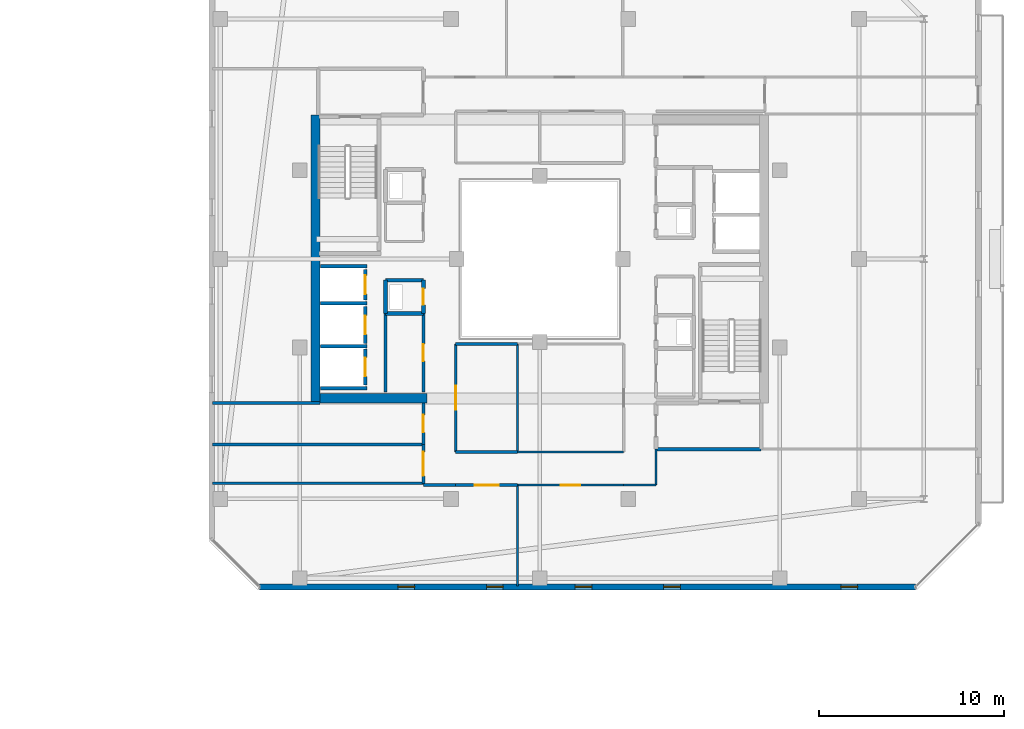
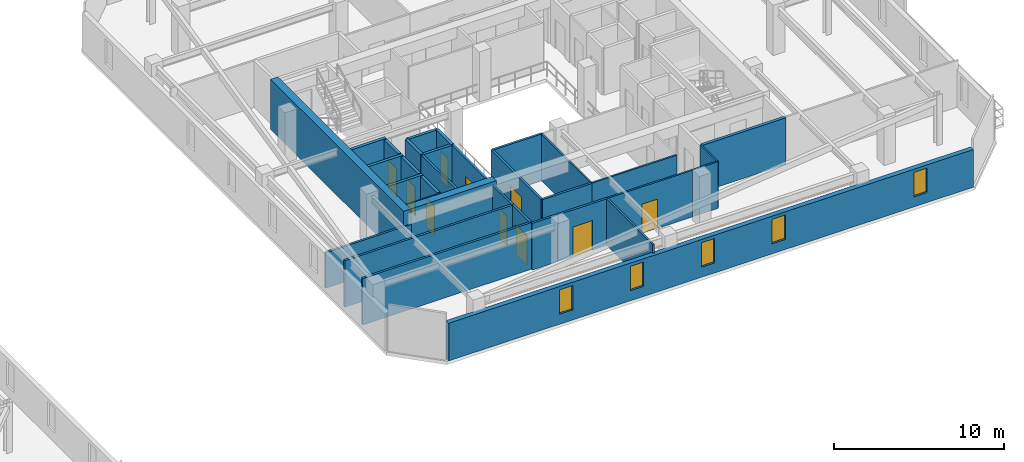
# One storey, part 25 of 35: 33 walls, 10 doors, 5 windows, 15 openings.
"""IFC4 building model written with IfcOpenShell, lengths in metres."""

from ifc_helpers import new_model, si_unit, direction, frame, frame_2d, origin, place, context, subcontext, project, spatial, rectangle, extrude, material, layer, layer_set, type_object, element, fill, save


model = new_model("IFC4")

# Units and contexts
model_context = context("Model", 3, precision=1e-05, world=origin(), true_north=direction((0.0, 1.0)))
body_context = subcontext(model_context, "Body", "Model", "MODEL_VIEW")
ifc_project = project(units=[si_unit("LENGTHUNIT", "METRE"), si_unit("AREAUNIT", "SQUARE_METRE"), si_unit("VOLUMEUNIT", "CUBIC_METRE"), si_unit("PLANEANGLEUNIT", "RADIAN"), si_unit("MASSUNIT", "GRAM", prefix="KILO")], contexts=[model_context])

# Site, building, storey
site_placement = place(None, origin())
site = spatial("IfcSite", under=ifc_project, at=site_placement, CompositionType="ELEMENT")
building_placement = place(site_placement, origin())
building = spatial("IfcBuilding", under=site, at=building_placement, Name="Thornwick Lancets Civic Towers", CompositionType="ELEMENT")
storey_placement = place(building_placement, frame((0.0, 0.0, 265.5)))
storey = spatial("IfcBuildingStorey", under=building, at=storey_placement, Name="L71", CompositionType="ELEMENT", Elevation=265.5)

# Wall, opening, door
ifc_material_1 = material(Name="Concrete blockwork C40/50", Category="masonry")
ifc_layer_1 = layer(ifc_material_1, 0.199951171875, Name="Concrete blockwork C40/50")
ifc_layer_set_1 = layer_set([ifc_layer_1], Name="Concrete blockwork C40/50")
wall_type_1 = type_object("IfcWallType", Name="WALL_COMP_200", PredefinedType="STANDARD", material=ifc_layer_set_1)
wall_1_placement = place(storey_placement, frame((79.050048828125, 24.780029296875, 0.0), z_axis=(0.0, 0.0, 1.0), x_axis=(0.0, 1.0, 0.0)))
wall_1 = element("IfcWall", 1, at=wall_1_placement, inside=storey, type_object=wall_type_1, Name="L71 Hoistway Front Wall FL-B2", PredefinedType="STANDARD", context=body_context, shape_type="SweptSolid", body=[
    extrude(rectangle(XDim=1.639892578125, YDim=0.199951171875, at=frame_2d((0.81982421875, 0.0))), origin(), (0.0, 0.0, 1.0), 3.340087890625),
])
opening_1_placement = place(wall_1_placement, frame((0.31005859375, 0.0, 0.0)))
opening_1 = element("IfcOpeningElement", 2, at=opening_1_placement, cuts=wall_1, Name="Opening LD-FL-B2", PredefinedType="OPENING", context=body_context, shape_type="SweptSolid", body=[
    extrude(rectangle(XDim=1.02001953125, YDim=2.06005859375, at=frame_2d((0.510009765625, 1.030029296875))), frame((0.0, 0.10986328125, 0.0), z_axis=(0.0, -1.0, 0.0), x_axis=(1.0, 0.0, 0.0)), (0.0, 0.0, 1.0), 0.219970703125),
])
ifc_material_2 = material(Name="Brushed bronze stainless steel", Category="steel")
door_type_1 = type_object("IfcDoorType", Name="DOOR_LIFT_SLIDE", OperationType="SLIDING_TO_LEFT", PredefinedType="DOOR", material=ifc_material_2)
door_1_placement = place(opening_1_placement, origin())
door_1 = element("IfcDoor", 3, at=door_1_placement, inside=storey, type_object=door_type_1, Name="L71 Sliding Lift Landing Door LD-FL-B2", OperationType="SLIDING_TO_LEFT", OverallHeight=2.06005859375, OverallWidth=1.02001953125, PredefinedType="DOOR", context=body_context, shape_type="SweptSolid", body=[
    extrude(rectangle(XDim=1.02001953125, YDim=2.06005859375, at=frame_2d((0.510009765625, 1.030029296875))), frame((0.0, 0.02490234375, 0.0), z_axis=(0.0, -1.0, 0.0), x_axis=(1.0, 0.0, 0.0)), (0.0, 0.0, 1.0), 0.050048828125),
])
fill(opening_1, door_1)

wall_2_placement = place(storey_placement, frame((79.050048828125, 22.429931640625, 0.0), z_axis=(0.0, 0.0, 1.0), x_axis=(0.0, 1.0, 0.0)))
wall_2 = element("IfcWall", 4, at=wall_2_placement, inside=storey, type_object=wall_type_1, Name="L71 Hoistway Front Wall PL-BH2", PredefinedType="STANDARD", context=body_context, shape_type="SweptSolid", body=[
    extrude(rectangle(XDim=1.989990234375, YDim=0.199951171875, at=frame_2d((0.9951171875, 0.0))), origin(), (0.0, 0.0, 1.0), 3.340087890625),
])
opening_2_placement = place(wall_2_placement, frame((0.485107421875, 0.0, 0.0)))
opening_2 = element("IfcOpeningElement", 5, at=opening_2_placement, cuts=wall_2, Name="Opening LD-PL-BH2", PredefinedType="OPENING", context=body_context, shape_type="SweptSolid", body=[
    extrude(rectangle(XDim=1.02001953125, YDim=2.06005859375, at=frame_2d((0.510009765625, 1.030029296875))), frame((0.0, 0.10986328125, 0.0), z_axis=(0.0, -1.0, 0.0), x_axis=(1.0, 0.0, 0.0)), (0.0, 0.0, 1.0), 0.219970703125),
])
door_2_placement = place(opening_2_placement, origin())
door_2 = element("IfcDoor", 6, at=door_2_placement, inside=storey, type_object=door_type_1, Name="L71 Sliding Lift Landing Door LD-PL-BH2", OperationType="SLIDING_TO_LEFT", OverallHeight=2.06005859375, OverallWidth=1.02001953125, PredefinedType="DOOR", context=body_context, shape_type="SweptSolid", body=[
    extrude(rectangle(XDim=1.02001953125, YDim=2.06005859375, at=frame_2d((0.510009765625, 1.030029296875))), frame((0.0, 0.02490234375, 0.0), z_axis=(0.0, -1.0, 0.0), x_axis=(1.0, 0.0, 0.0)), (0.0, 0.0, 1.0), 0.050048828125),
])
fill(opening_2, door_2)

wall_3_placement = place(storey_placement, frame((79.050048828125, 20.179931640625, 0.0), z_axis=(0.0, 0.0, 1.0), x_axis=(0.0, 1.0, 0.0)))
wall_3 = element("IfcWall", 7, at=wall_3_placement, inside=storey, type_object=wall_type_1, Name="L71 Hoistway Front Wall PL-BH3", PredefinedType="STANDARD", context=body_context, shape_type="SweptSolid", body=[
    extrude(rectangle(XDim=1.940185546875, YDim=0.199951171875, at=frame_2d((0.97021484375, 0.0))), origin(), (0.0, 0.0, 1.0), 3.340087890625),
])
opening_3_placement = place(wall_3_placement, frame((0.4599609375, 0.0, 0.0)))
opening_3 = element("IfcOpeningElement", 8, at=opening_3_placement, cuts=wall_3, Name="Opening LD-PL-BH3", PredefinedType="OPENING", context=body_context, shape_type="SweptSolid", body=[
    extrude(rectangle(XDim=1.02001953125, YDim=2.06005859375, at=frame_2d((0.510009765625, 1.030029296875))), frame((0.0, 0.10986328125, 0.0), z_axis=(0.0, -1.0, 0.0), x_axis=(1.0, 0.0, 0.0)), (0.0, 0.0, 1.0), 0.219970703125),
])
door_3_placement = place(opening_3_placement, origin())
door_3 = element("IfcDoor", 9, at=door_3_placement, inside=storey, type_object=door_type_1, Name="L71 Sliding Lift Landing Door LD-PL-BH3", OperationType="SLIDING_TO_LEFT", OverallHeight=2.06005859375, OverallWidth=1.02001953125, PredefinedType="DOOR", context=body_context, shape_type="SweptSolid", body=[
    extrude(rectangle(XDim=1.02001953125, YDim=2.06005859375, at=frame_2d((0.510009765625, 1.030029296875))), frame((0.0, 0.02490234375, 0.0), z_axis=(0.0, -1.0, 0.0), x_axis=(1.0, 0.0, 0.0)), (0.0, 0.0, 1.0), 0.050048828125),
])
fill(opening_3, door_3)

# Walls
for number, where, z_axis, x_axis, name in (
    (10, (76.612060546875, 26.60009765625, 0.0), (0.0, 0.0, 1.0), (1.0, 0.0, 0.0), "L71 Hoistway Shaft Wall FL-B2 N"),
    (11, (76.612060546875, 24.60009765625, 0.0), (0.0, 0.0, 1.0), (1.0, 0.0, 0.0), "L71 Hoistway Shaft Wall FL-B2 S"),
    (12, (76.612060546875, 22.27490234375, 0.0), (0.0, 0.0, 1.0), (1.0, 0.0, 0.0), "L71 Hoistway Shaft Wall PL-BH2 S"),
    (13, (76.612060546875, 20.0, 0.0), (0.0, 0.0, 1.0), (1.0, 0.0, 0.0), "L71 Hoistway Shaft Wall PL-BH3 S"),
):
    element("IfcWall", number, at=place(storey_placement, frame(where, z_axis=z_axis, x_axis=x_axis)), inside=storey, type_object=wall_type_1, Name=name, PredefinedType="STANDARD", context=body_context, shape_type="SweptSolid", body=[
        extrude(rectangle(XDim=2.535888671875, YDim=0.199951171875, at=frame_2d((1.26806640625, 0.0))), origin(), (0.0, 0.0, 1.0), 3.340087890625),
    ])
wall_4_placement = place(storey_placement, frame((94.800048828125, 16.699951171875, 0.0), z_axis=(0.0, 0.0, 1.0), x_axis=(1.0, 0.0, 0.0)))
element("IfcWall", 14, at=wall_4_placement, inside=storey, type_object=wall_type_1, Name="L71 Partition L71-B-FFLOB1 E1", PredefinedType="STANDARD", context=body_context, shape_type="SweptSolid", body=[
    extrude(rectangle(XDim=5.699951171875, YDim=0.199951171875, at=frame_2d((2.85009765625, 0.0))), origin(), (0.0, 0.0, 1.0), 3.340087890625),
])
wall_5_placement = place(storey_placement, frame((80.14990234375, 24.050048828125, 0.0), z_axis=(0.0, 0.0, 1.0), x_axis=(1.0, 0.0, 0.0)))
element("IfcWall", 15, at=wall_5_placement, inside=storey, type_object=wall_type_1, Name="L71 Partition L71-B-DUCT2 E1", PredefinedType="STANDARD", context=body_context, shape_type="SweptSolid", body=[
    extrude(rectangle(XDim=2.050048828125, YDim=0.199951171875, at=frame_2d((1.02490234375, 0.0))), origin(), (0.0, 0.0, 1.0), 3.340087890625),
])

# Wall, opening, door
wall_6_placement = place(storey_placement, frame((82.199951171875, 24.050048828125, 0.0), z_axis=(0.0, 0.0, 1.0), x_axis=(0.0, 1.0, 0.0)))
wall_6 = element("IfcWall", 16, at=wall_6_placement, inside=storey, type_object=wall_type_1, Name="L71 Partition L71-B-DUCT2 E2", PredefinedType="STANDARD", context=body_context, shape_type="SweptSolid", body=[
    extrude(rectangle(XDim=1.800048828125, YDim=0.199951171875, at=frame_2d((0.89990234375, 0.0))), origin(), (0.0, 0.0, 1.0), 3.340087890625),
])
opening_4_placement = place(wall_6_placement, frame((0.4599609375, 0.0, 0.0)))
opening_4 = element("IfcOpeningElement", 17, at=opening_4_placement, cuts=wall_6, Name="Opening D-L71-3241", PredefinedType="OPENING", context=body_context, shape_type="SweptSolid", body=[
    extrude(rectangle(XDim=0.8798828125, YDim=2.0400390625, at=frame_2d((0.43994140625, 1.02001953125))), frame((0.0, 0.10986328125, 0.0), z_axis=(0.0, -1.0, 0.0), x_axis=(1.0, 0.0, 0.0)), (0.0, 0.0, 1.0), 0.219970703125),
])
ifc_material_3 = material(Name="Steel riser access doorset", Category="steel")
door_type_2 = type_object("IfcDoorType", Name="DOOR_RISER_850", OperationType="NOTDEFINED", PredefinedType="DOOR", material=ifc_material_3)
door_4_placement = place(opening_4_placement, origin())
door_4 = element("IfcDoor", 18, at=door_4_placement, inside=storey, type_object=door_type_2, Name="L71 West Service Duct 2 Door", OperationType="SINGLE_SWING_RIGHT", OverallHeight=2.0400390625, OverallWidth=0.8798828125, PredefinedType="DOOR", context=body_context, shape_type="SweptSolid", body=[
    extrude(rectangle(XDim=0.8798828125, YDim=2.0400390625, at=frame_2d((0.43994140625, 1.02001953125))), frame((0.0, 0.02490234375, 0.0), z_axis=(0.0, -1.0, 0.0), x_axis=(1.0, 0.0, 0.0)), (0.0, 0.0, 1.0), 0.050048828125),
])
fill(opening_4, door_4)

# Walls
wall_7_placement = place(storey_placement, frame((82.199951171875, 25.85009765625, 0.0), z_axis=(0.0, 0.0, 1.0), x_axis=(-1.0, 0.0, 0.0)))
element("IfcWall", 19, at=wall_7_placement, inside=storey, type_object=wall_type_1, Name="L71 Partition L71-B-DUCT2 E3", PredefinedType="STANDARD", context=body_context, shape_type="SweptSolid", body=[
    extrude(rectangle(XDim=2.050048828125, YDim=0.199951171875, at=frame_2d((1.02490234375, 0.0))), origin(), (0.0, 0.0, 1.0), 3.340087890625),
])
wall_8_placement = place(storey_placement, frame((80.14990234375, 25.85009765625, 0.0), z_axis=(0.0, 0.0, 1.0), x_axis=(0.0, -1.0, 0.0)))
element("IfcWall", 20, at=wall_8_placement, inside=storey, type_object=wall_type_1, Name="L71 Partition L71-B-DUCT2 E4", PredefinedType="STANDARD", context=body_context, shape_type="SweptSolid", body=[
    extrude(rectangle(XDim=1.800048828125, YDim=0.199951171875, at=frame_2d((0.89990234375, 0.0))), origin(), (0.0, 0.0, 1.0), 3.340087890625),
])
ifc_material_4 = material(Name="Concrete C50/60", Category="concrete")
ifc_layer_2 = layer(ifc_material_4, 0.5, Name="Concrete C50/60")
ifc_layer_set_2 = layer_set([ifc_layer_2], Name="Concrete C50/60")
wall_type_2 = type_object("IfcWallType", Name="WALL_CORE_500", PredefinedType="SHEAR", material=ifc_layer_set_2)
wall_9_placement = place(storey_placement, frame((76.35009765625, 19.199951171875, 0.0), z_axis=(0.0, 0.0, 1.0), x_axis=(0.0, 1.0, 0.0)))
element("IfcWall", 21, at=wall_9_placement, inside=storey, type_object=wall_type_2, Name="L71 Split Core B2 Shear Wall W", PredefinedType="SHEAR", context=body_context, shape_type="SweptSolid", body=[
    extrude(rectangle(XDim=15.60009765625, YDim=0.5, at=frame_2d((7.800048828125, 0.0))), origin(), (0.0, 0.0, 1.0), 3.60009765625),
])
wall_10_placement = place(storey_placement, frame((76.60009765625, 19.449951171875, 0.0), z_axis=(0.0, 0.0, 1.0), x_axis=(1.0, 0.0, 0.0)))
element("IfcWall", 22, at=wall_10_placement, inside=storey, type_object=wall_type_2, Name="L71 Split Core B2 Shear Wall S", PredefinedType="SHEAR", context=body_context, shape_type="SweptSolid", body=[
    extrude(rectangle(XDim=5.7998046875, YDim=0.5, at=frame_2d((2.89990234375, 0.0))), origin(), (0.0, 0.0, 1.0), 3.60009765625),
])

# Wall, openings, windows
ifc_material_5 = material(Name="Insulated buff terracotta rainscreen on concrete C40/50", Category="masonry")
ifc_layer_3 = layer(ifc_material_5, 0.320068359375, Name="Insulated buff terracotta rainscreen on concrete C40/50")
ifc_layer_set_3 = layer_set([ifc_layer_3], Name="Insulated buff terracotta rainscreen on concrete C40/50")
wall_type_3 = type_object("IfcWallType", Name="WALL_EXT_TERRA_320", PredefinedType="STANDARD", material=ifc_layer_set_3)
wall_11_placement = place(storey_placement, frame((73.318603515625, 9.2353515625, 0.0), z_axis=(0.0, 0.0, 1.0), x_axis=(0.999999997144, 7.5574884e-05, 0.0)))
wall_11 = element("IfcWall", 23, at=wall_11_placement, inside=storey, type_object=wall_type_3, Name="L71 Tower B Terracotta Facade Wall E0", PredefinedType="STANDARD", context=body_context, shape_type="SweptSolid", body=[
    extrude(rectangle(XDim=35.534912109375, YDim=0.320068359375, at=frame_2d((17.767578125, 0.0))), origin(), (0.0, 0.0, 1.0), 2.699951171875),
])
opening_5_placement = place(wall_11_placement, frame((7.5, 0.0, 0.719970703125)))
opening_5 = element("IfcOpeningElement", 24, at=opening_5_placement, cuts=wall_11, Name="Opening WL-01", PredefinedType="OPENING", context=body_context, shape_type="SweptSolid", body=[
    extrude(rectangle(XDim=0.89990234375, YDim=1.75, at=frame_2d((0.449951171875, 0.875))), frame((0.0, 0.169921875, 0.0), z_axis=(0.0, -1.0, 0.0), x_axis=(1.0, 0.0, 0.0)), (0.0, 0.0, 1.0), 0.340087890625),
])
opening_6_placement = place(wall_11_placement, frame((12.300048828125, 0.0, 0.719970703125)))
opening_6 = element("IfcOpeningElement", 25, at=opening_6_placement, cuts=wall_11, Name="Opening WL-01", PredefinedType="OPENING", context=body_context, shape_type="SweptSolid", body=[
    extrude(rectangle(XDim=0.89990234375, YDim=1.75, at=frame_2d((0.449951171875, 0.875))), frame((0.0, 0.169921875, 0.0), z_axis=(0.0, -1.0, 0.0), x_axis=(1.0, 0.0, 0.0)), (0.0, 0.0, 1.0), 0.340087890625),
])
opening_7_placement = place(wall_11_placement, frame((17.10009765625, 0.0, 0.719970703125)))
opening_7 = element("IfcOpeningElement", 26, at=opening_7_placement, cuts=wall_11, Name="Opening WL-01", PredefinedType="OPENING", context=body_context, shape_type="SweptSolid", body=[
    extrude(rectangle(XDim=0.89990234375, YDim=1.75, at=frame_2d((0.449951171875, 0.875))), frame((0.0, 0.169921875, 0.0), z_axis=(0.0, -1.0, 0.0), x_axis=(1.0, 0.0, 0.0)), (0.0, 0.0, 1.0), 0.340087890625),
])
opening_8_placement = place(wall_11_placement, frame((21.89990234375, 0.0, 0.719970703125)))
opening_8 = element("IfcOpeningElement", 27, at=opening_8_placement, cuts=wall_11, Name="Opening WL-01", PredefinedType="OPENING", context=body_context, shape_type="SweptSolid", body=[
    extrude(rectangle(XDim=0.89990234375, YDim=1.75, at=frame_2d((0.449951171875, 0.875))), frame((0.0, 0.169921875, 0.0), z_axis=(0.0, -1.0, 0.0), x_axis=(1.0, 0.0, 0.0)), (0.0, 0.0, 1.0), 0.340087890625),
])
opening_9_placement = place(wall_11_placement, frame((31.5, 0.0, 0.719970703125)))
opening_9 = element("IfcOpeningElement", 28, at=opening_9_placement, cuts=wall_11, Name="Opening WL-01", PredefinedType="OPENING", context=body_context, shape_type="SweptSolid", body=[
    extrude(rectangle(XDim=0.89990234375, YDim=1.75, at=frame_2d((0.449951171875, 0.875))), frame((0.0, 0.169921875, 0.0), z_axis=(0.0, -1.0, 0.0), x_axis=(1.0, 0.0, 0.0)), (0.0, 0.0, 1.0), 0.340087890625),
])
ifc_material_6 = material(Name="Clear low-e double glazing in bronze frame", Category="glass")
window_type = type_object("IfcWindowType", Name="WIN_LANCET_900", PartitioningType="SINGLE_PANEL", PredefinedType="WINDOW", material=ifc_material_6)
window_1_placement = place(opening_5_placement, origin())
window_1 = element("IfcWindow", 29, at=window_1_placement, inside=storey, type_object=window_type, Name="L71 Tower B Staggered Lancet Window E0-1", OverallHeight=1.75, OverallWidth=0.89990234375, PartitioningType="SINGLE_PANEL", PredefinedType="WINDOW", context=body_context, shape_type="SweptSolid", body=[
    extrude(rectangle(XDim=0.89990234375, YDim=1.75, at=frame_2d((0.449951171875, 0.875))), frame((0.0, 0.030029296875, 0.0), z_axis=(0.0, -1.0, 0.0), x_axis=(1.0, 0.0, 0.0)), (0.0, 0.0, 1.0), 0.06005859375),
])
fill(opening_5, window_1)
window_2_placement = place(opening_6_placement, origin())
window_2 = element("IfcWindow", 30, at=window_2_placement, inside=storey, type_object=window_type, Name="L71 Tower B Staggered Lancet Window E0-2", OverallHeight=1.75, OverallWidth=0.89990234375, PartitioningType="SINGLE_PANEL", PredefinedType="WINDOW", context=body_context, shape_type="SweptSolid", body=[
    extrude(rectangle(XDim=0.89990234375, YDim=1.75, at=frame_2d((0.449951171875, 0.875))), frame((0.0, 0.030029296875, 0.0), z_axis=(0.0, -1.0, 0.0), x_axis=(1.0, 0.0, 0.0)), (0.0, 0.0, 1.0), 0.06005859375),
])
fill(opening_6, window_2)
window_3_placement = place(opening_7_placement, origin())
window_3 = element("IfcWindow", 31, at=window_3_placement, inside=storey, type_object=window_type, Name="L71 Tower B Staggered Lancet Window E0-3", OverallHeight=1.75, OverallWidth=0.89990234375, PartitioningType="SINGLE_PANEL", PredefinedType="WINDOW", context=body_context, shape_type="SweptSolid", body=[
    extrude(rectangle(XDim=0.89990234375, YDim=1.75, at=frame_2d((0.449951171875, 0.875))), frame((0.0, 0.030029296875, 0.0), z_axis=(0.0, -1.0, 0.0), x_axis=(1.0, 0.0, 0.0)), (0.0, 0.0, 1.0), 0.06005859375),
])
fill(opening_7, window_3)
window_4_placement = place(opening_8_placement, origin())
window_4 = element("IfcWindow", 32, at=window_4_placement, inside=storey, type_object=window_type, Name="L71 Tower B Staggered Lancet Window E0-4", OverallHeight=1.75, OverallWidth=0.89990234375, PartitioningType="SINGLE_PANEL", PredefinedType="WINDOW", context=body_context, shape_type="SweptSolid", body=[
    extrude(rectangle(XDim=0.89990234375, YDim=1.75, at=frame_2d((0.449951171875, 0.875))), frame((0.0, 0.030029296875, 0.0), z_axis=(0.0, -1.0, 0.0), x_axis=(1.0, 0.0, 0.0)), (0.0, 0.0, 1.0), 0.06005859375),
])
fill(opening_8, window_4)
window_5_placement = place(opening_9_placement, origin())
window_5 = element("IfcWindow", 33, at=window_5_placement, inside=storey, type_object=window_type, Name="L71 Tower B Staggered Lancet Window E0-5", OverallHeight=1.75, OverallWidth=0.89990234375, PartitioningType="SINGLE_PANEL", PredefinedType="WINDOW", context=body_context, shape_type="SweptSolid", body=[
    extrude(rectangle(XDim=0.89990234375, YDim=1.75, at=frame_2d((0.449951171875, 0.875))), frame((0.0, 0.030029296875, 0.0), z_axis=(0.0, -1.0, 0.0), x_axis=(1.0, 0.0, 0.0)), (0.0, 0.0, 1.0), 0.06005859375),
])
fill(opening_9, window_5)

# Wall
ifc_material_7 = material(Name="Acoustic gypsum board partition")
ifc_layer_4 = layer(ifc_material_7, 0.1201171875, Name="Acoustic gypsum board partition")
ifc_layer_set_4 = layer_set([ifc_layer_4], Name="Acoustic gypsum board partition")
wall_type_4 = type_object("IfcWallType", Name="WALL_PART_120", PredefinedType="PARTITIONING", material=ifc_layer_set_4)
wall_12_placement = place(storey_placement, frame((87.300048828125, 9.280029296875, 0.0), z_axis=(0.0, 0.0, 1.0), x_axis=(0.0, 1.0, 0.0)))
element("IfcWall", 34, at=wall_12_placement, inside=storey, type_object=wall_type_4, Name="L71 Partition L71-B-W1 E2", PredefinedType="PARTITIONING", context=body_context, shape_type="SweptSolid", body=[
    extrude(rectangle(XDim=5.469970703125, YDim=0.1201171875, at=frame_2d((2.73486328125, 0.0))), origin(), (0.0, 0.0, 1.0), 3.340087890625),
])

# Wall, opening, door
wall_13_placement = place(storey_placement, frame((87.300048828125, 14.75, 0.0), z_axis=(0.0, 0.0, 1.0), x_axis=(1.0, 0.0, 0.0)))
wall_13 = element("IfcWall", 35, at=wall_13_placement, inside=storey, type_object=wall_type_4, Name="L71 Partition L71-B-W1 E3", PredefinedType="PARTITIONING", context=body_context, shape_type="SweptSolid", body=[
    extrude(rectangle(XDim=5.75, YDim=0.1201171875, at=frame_2d((2.875, 0.0))), origin(), (0.0, 0.0, 1.0), 3.340087890625),
])
opening_10_placement = place(wall_13_placement, frame((2.35009765625, 0.0, 0.0)))
opening_10 = element("IfcOpeningElement", 36, at=opening_10_placement, cuts=wall_13, Name="Opening D-L71-3264", PredefinedType="OPENING", context=body_context, shape_type="SweptSolid", body=[
    extrude(rectangle(XDim=1.050048828125, YDim=2.10009765625, at=frame_2d((0.52490234375, 1.050048828125))), frame((0.0, 0.070068359375, 0.0), z_axis=(0.0, -1.0, 0.0), x_axis=(1.0, 0.0, 0.0)), (0.0, 0.0, 1.0), 0.14013671875),
])
ifc_material_8 = material(Name="Glazed European oak executive doorset")
door_type_3 = type_object("IfcDoorType", Name="DOOR_OFFICE_1050", OperationType="NOTDEFINED", PredefinedType="DOOR", material=ifc_material_8)
door_5_placement = place(opening_10_placement, origin())
door_5 = element("IfcDoor", 37, at=door_5_placement, inside=storey, type_object=door_type_3, Name="L71 Tower B Ministry Directorate Office W1 Door", OperationType="SINGLE_SWING_LEFT", OverallHeight=2.10009765625, OverallWidth=1.050048828125, PredefinedType="DOOR", context=body_context, shape_type="SweptSolid", body=[
    extrude(rectangle(XDim=1.050048828125, YDim=2.10009765625, at=frame_2d((0.52490234375, 1.050048828125))), frame((0.0, 0.02490234375, 0.0), z_axis=(0.0, -1.0, 0.0), x_axis=(1.0, 0.0, 0.0)), (0.0, 0.0, 1.0), 0.050048828125),
])
fill(opening_10, door_5)

# Walls
wall_14_placement = place(storey_placement, frame((93.050048828125, 14.75, 0.0), z_axis=(0.0, 0.0, 1.0), x_axis=(1.0, 0.0, 0.0)))
element("IfcWall", 38, at=wall_14_placement, inside=storey, type_object=wall_type_4, Name="L71 Partition L71-B-W1 E4", PredefinedType="PARTITIONING", context=body_context, shape_type="SweptSolid", body=[
    extrude(rectangle(XDim=1.75, YDim=0.1201171875, at=frame_2d((0.875, 0.0))), origin(), (0.0, 0.0, 1.0), 3.340087890625),
])
wall_15_placement = place(storey_placement, frame((94.800048828125, 14.75, 0.0), z_axis=(0.0, 0.0, 1.0), x_axis=(0.0, 1.0, 0.0)))
element("IfcWall", 39, at=wall_15_placement, inside=storey, type_object=wall_type_4, Name="L71 Partition L71-B-W1 E5", PredefinedType="PARTITIONING", context=body_context, shape_type="SweptSolid", body=[
    extrude(rectangle(XDim=1.949951171875, YDim=0.1201171875, at=frame_2d((0.97509765625, 0.0))), origin(), (0.0, 0.0, 1.0), 3.340087890625),
])
wall_16_placement = place(storey_placement, frame((87.300048828125, 16.550048828125, 0.0), z_axis=(0.0, 0.0, 1.0), x_axis=(0.0, 1.0, 0.0)))
element("IfcWall", 40, at=wall_16_placement, inside=storey, type_object=wall_type_4, Name="L71 Partition L71-B-W3 E1", PredefinedType="PARTITIONING", context=body_context, shape_type="SweptSolid", body=[
    extrude(rectangle(XDim=5.849853515625, YDim=0.1201171875, at=frame_2d((2.9248046875, 0.0))), origin(), (0.0, 0.0, 1.0), 3.340087890625),
])
wall_17_placement = place(storey_placement, frame((93.050048828125, 16.550048828125, 0.0), z_axis=(0.0, 0.0, 1.0), x_axis=(-1.0, 0.0, 0.0)))
element("IfcWall", 41, at=wall_17_placement, inside=storey, type_object=wall_type_4, Name="L71 Partition L71-B-W3 E4", PredefinedType="PARTITIONING", context=body_context, shape_type="SweptSolid", body=[
    extrude(rectangle(XDim=5.75, YDim=0.1201171875, at=frame_2d((2.875, 0.0))), origin(), (0.0, 0.0, 1.0), 3.340087890625),
])
ifc_material_9 = material(Name="Twin-stud acoustic gypsum board")
ifc_layer_5 = layer(ifc_material_9, 0.14990234375, Name="Twin-stud acoustic gypsum board")
ifc_layer_set_5 = layer_set([ifc_layer_5], Name="Twin-stud acoustic gypsum board")
wall_type_5 = type_object("IfcWallType", Name="WALL_PART_150", PredefinedType="PARTITIONING", material=ifc_layer_set_5)
wall_18_placement = place(storey_placement, frame((80.14990234375, 19.800048828125, 0.0), z_axis=(0.0, 0.0, 1.0), x_axis=(0.0, 1.0, 0.0)))
element("IfcWall", 42, at=wall_18_placement, inside=storey, type_object=wall_type_5, Name="L71 Partition L71-B-FWC E2", PredefinedType="PARTITIONING", context=body_context, shape_type="SweptSolid", body=[
    extrude(rectangle(XDim=4.25, YDim=0.14990234375, at=frame_2d((2.125, 0.0))), origin(), (0.0, 0.0, 1.0), 3.340087890625),
])

# Wall, opening, door
wall_19_placement = place(storey_placement, frame((82.199951171875, 24.050048828125, 0.0), z_axis=(0.0, 0.0, 1.0), x_axis=(0.0, -1.0, 0.0)))
wall_19 = element("IfcWall", 43, at=wall_19_placement, inside=storey, type_object=wall_type_5, Name="L71 Partition L71-B-FWC E4", PredefinedType="PARTITIONING", context=body_context, shape_type="SweptSolid", body=[
    extrude(rectangle(XDim=4.25, YDim=0.14990234375, at=frame_2d((2.125, 0.0))), origin(), (0.0, 0.0, 1.0), 3.340087890625),
])
opening_11_placement = place(wall_19_placement, frame((1.6650390625, 0.0, 0.0)))
opening_11 = element("IfcOpeningElement", 44, at=opening_11_placement, cuts=wall_19, Name="Opening D-L71-3247", PredefinedType="OPENING", context=body_context, shape_type="SweptSolid", body=[
    extrude(rectangle(XDim=0.919921875, YDim=2.080078125, at=frame_2d((0.4599609375, 1.0400390625))), frame((0.0, 0.0849609375, 0.0), z_axis=(0.0, -1.0, 0.0), x_axis=(1.0, 0.0, 0.0)), (0.0, 0.0, 1.0), 0.169921875),
])
ifc_material_10 = material(Name="Moisture-resistant oak doorset")
door_type_4 = type_object("IfcDoorType", Name="DOOR_WC_900", OperationType="NOTDEFINED", PredefinedType="DOOR", material=ifc_material_10)
door_6_placement = place(opening_11_placement, origin())
door_6 = element("IfcDoor", 45, at=door_6_placement, inside=storey, type_object=door_type_4, Name="L71 Tower B Female WC Door", OperationType="SINGLE_SWING_RIGHT", OverallHeight=2.080078125, OverallWidth=0.919921875, PredefinedType="DOOR", context=body_context, shape_type="SweptSolid", body=[
    extrude(rectangle(XDim=0.919921875, YDim=2.080078125, at=frame_2d((0.4599609375, 1.0400390625))), frame((0.0, 0.02490234375, 0.0), z_axis=(0.0, -1.0, 0.0), x_axis=(1.0, 0.0, 0.0)), (0.0, 0.0, 1.0), 0.050048828125),
])
fill(opening_11, door_6)

# Walls
for number, where, z_axis, x_axis, name in (
    (46, (82.199951171875, 14.85009765625, 0.0), (0.0, 0.0, 1.0), (-1.0, 0.0, 0.0), "L71 Partition L71-B-RECLAIM-M1 E1"),
    (47, (70.780029296875, 16.949951171875, 0.0), (0.0, 0.0, 1.0), (1.0, 0.0, 0.0), "L71 Partition L71-B-RECLAIM-M1 E3"),
):
    element("IfcWall", number, at=place(storey_placement, frame(where, z_axis=z_axis, x_axis=x_axis)), inside=storey, type_object=wall_type_5, Name=name, PredefinedType="PARTITIONING", context=body_context, shape_type="SweptSolid", body=[
        extrude(rectangle(XDim=11.419921875, YDim=0.14990234375, at=frame_2d((5.7099609375, 0.0))), origin(), (0.0, 0.0, 1.0), 3.340087890625),
    ])

# Wall, opening, door
wall_20_placement = place(storey_placement, frame((82.199951171875, 16.949951171875, 0.0), z_axis=(0.0, 0.0, 1.0), x_axis=(0.0, -1.0, 0.0)))
wall_20 = element("IfcWall", 48, at=wall_20_placement, inside=storey, type_object=wall_type_5, Name="L71 Partition L71-B-RECLAIM-M1 E4", PredefinedType="PARTITIONING", context=body_context, shape_type="SweptSolid", body=[
    extrude(rectangle(XDim=2.099853515625, YDim=0.14990234375, at=frame_2d((1.0498046875, 0.0))), origin(), (0.0, 0.0, 1.0), 3.340087890625),
])
opening_12_placement = place(wall_20_placement, frame((0.39990234375, 0.0, 0.0)))
opening_12 = element("IfcOpeningElement", 49, at=opening_12_placement, cuts=wall_20, Name="Opening D-L71-3262", PredefinedType="OPENING", context=body_context, shape_type="SweptSolid", body=[
    extrude(rectangle(XDim=1.300048828125, YDim=2.1201171875, at=frame_2d((0.64990234375, 1.06005859375))), frame((0.0, 0.0849609375, 0.0), z_axis=(0.0, -1.0, 0.0), x_axis=(1.0, 0.0, 0.0)), (0.0, 0.0, 1.0), 0.169921875),
])
ifc_material_11 = material(Name="Acoustic oak leaf-and-a-half doorset")
door_type_5 = type_object("IfcDoorType", Name="DOOR_MEET_1300", OperationType="DOUBLE_DOOR_SINGLE_SWING", PredefinedType="DOOR", material=ifc_material_11)
door_7_placement = place(opening_12_placement, origin())
door_7 = element("IfcDoor", 50, at=door_7_placement, inside=storey, type_object=door_type_5, Name="L71 Tower B Diplomatic Conference Room Door", OperationType="DOUBLE_DOOR_SINGLE_SWING", OverallHeight=2.1201171875, OverallWidth=1.300048828125, PredefinedType="DOOR", context=body_context, shape_type="SweptSolid", body=[
    extrude(rectangle(XDim=1.300048828125, YDim=2.1201171875, at=frame_2d((0.64990234375, 1.06005859375))), frame((0.0, 0.02490234375, 0.0), z_axis=(0.0, -1.0, 0.0), x_axis=(1.0, 0.0, 0.0)), (0.0, 0.0, 1.0), 0.050048828125),
])
fill(opening_12, door_7)

# Wall
wall_21_placement = place(storey_placement, frame((70.780029296875, 19.199951171875, 0.0), z_axis=(0.0, 0.0, 1.0), x_axis=(1.0, 0.0, 0.0)))
element("IfcWall", 51, at=wall_21_placement, inside=storey, type_object=wall_type_5, Name="L71 Partition L71-B-RECLAIM-M2 E3", PredefinedType="PARTITIONING", context=body_context, shape_type="SweptSolid", body=[
    extrude(rectangle(XDim=5.820068359375, YDim=0.14990234375, at=frame_2d((2.91015625, 0.0))), origin(), (0.0, 0.0, 1.0), 2.544921875),
])

# Wall, opening, door
wall_22_placement = place(storey_placement, frame((82.199951171875, 19.199951171875, 0.0), z_axis=(0.0, 0.0, 1.0), x_axis=(0.0, -1.0, 0.0)))
wall_22 = element("IfcWall", 52, at=wall_22_placement, inside=storey, type_object=wall_type_5, Name="L71 Partition L71-B-RECLAIM-M2 E4", PredefinedType="PARTITIONING", context=body_context, shape_type="SweptSolid", body=[
    extrude(rectangle(XDim=2.25, YDim=0.14990234375, at=frame_2d((1.125, 0.0))), origin(), (0.0, 0.0, 1.0), 3.340087890625),
])
opening_13_placement = place(wall_22_placement, frame((0.64990234375, 0.0, 0.0)))
opening_13 = element("IfcOpeningElement", 53, at=opening_13_placement, cuts=wall_22, Name="Opening D-L71-3263", PredefinedType="OPENING", context=body_context, shape_type="SweptSolid", body=[
    extrude(rectangle(XDim=0.949951171875, YDim=2.10009765625, at=frame_2d((0.47509765625, 1.050048828125))), frame((0.0, 0.0849609375, 0.0), z_axis=(0.0, -1.0, 0.0), x_axis=(1.0, 0.0, 0.0)), (0.0, 0.0, 1.0), 0.169921875),
])
ifc_material_12 = material(Name="European oak acoustic doorset")
door_type_6 = type_object("IfcDoorType", Name="DOOR_OFFICE_950", OperationType="NOTDEFINED", PredefinedType="DOOR", material=ifc_material_12)
door_8_placement = place(opening_13_placement, origin())
door_8 = element("IfcDoor", 54, at=door_8_placement, inside=storey, type_object=door_type_6, Name="L71 Tower B Executive Records Archive Door", OperationType="SINGLE_SWING_RIGHT", OverallHeight=2.10009765625, OverallWidth=0.949951171875, PredefinedType="DOOR", context=body_context, shape_type="SweptSolid", body=[
    extrude(rectangle(XDim=0.949951171875, YDim=2.10009765625, at=frame_2d((0.47509765625, 1.050048828125))), frame((0.0, 0.02490234375, 0.0), z_axis=(0.0, -1.0, 0.0), x_axis=(1.0, 0.0, 0.0)), (0.0, 0.0, 1.0), 0.050048828125),
])
fill(opening_13, door_8)

# Wall
wall_23_placement = place(storey_placement, frame((82.199951171875, 14.75, 0.0), z_axis=(0.0, 0.0, 1.0), x_axis=(1.0, 0.0, 0.0)))
element("IfcWall", 55, at=wall_23_placement, inside=storey, type_object=wall_type_5, Name="L71 Partition L71-B-W2 E5", PredefinedType="PARTITIONING", context=body_context, shape_type="SweptSolid", body=[
    extrude(rectangle(XDim=1.75, YDim=0.14990234375, at=frame_2d((0.875, 0.0))), origin(), (0.0, 0.0, 1.0), 3.340087890625),
])

# Wall, opening, door
wall_24_placement = place(storey_placement, frame((83.949951171875, 14.75, 0.0), z_axis=(0.0, 0.0, 1.0), x_axis=(1.0, 0.0, 0.0)))
wall_24 = element("IfcWall", 56, at=wall_24_placement, inside=storey, type_object=wall_type_5, Name="L71 Partition L71-B-W2 E6", PredefinedType="PARTITIONING", context=body_context, shape_type="SweptSolid", body=[
    extrude(rectangle(XDim=3.35009765625, YDim=0.14990234375, at=frame_2d((1.675048828125, 0.0))), origin(), (0.0, 0.0, 1.0), 3.340087890625),
])
opening_14_placement = place(wall_24_placement, frame((1.02490234375, 0.0, 0.0)))
opening_14 = element("IfcOpeningElement", 57, at=opening_14_placement, cuts=wall_24, Name="Opening D-L71-3265", PredefinedType="OPENING", context=body_context, shape_type="SweptSolid", body=[
    extrude(rectangle(XDim=1.300048828125, YDim=2.1201171875, at=frame_2d((0.64990234375, 1.06005859375))), frame((0.0, 0.0849609375, 0.0), z_axis=(0.0, -1.0, 0.0), x_axis=(1.0, 0.0, 0.0)), (0.0, 0.0, 1.0), 0.169921875),
])
door_9_placement = place(opening_14_placement, origin())
door_9 = element("IfcDoor", 58, at=door_9_placement, inside=storey, type_object=door_type_5, Name="L71 Tower B Policy Briefing Room W2 Door", OperationType="DOUBLE_DOOR_SINGLE_SWING", OverallHeight=2.1201171875, OverallWidth=1.300048828125, PredefinedType="DOOR", context=body_context, shape_type="SweptSolid", body=[
    extrude(rectangle(XDim=1.300048828125, YDim=2.1201171875, at=frame_2d((0.64990234375, 1.06005859375))), frame((0.0, 0.02490234375, 0.0), z_axis=(0.0, -1.0, 0.0), x_axis=(1.0, 0.0, 0.0)), (0.0, 0.0, 1.0), 0.050048828125),
])
fill(opening_14, door_9)

wall_25_placement = place(storey_placement, frame((83.949951171875, 16.550048828125, 0.0), z_axis=(0.0, 0.0, 1.0), x_axis=(0.0, 1.0, 0.0)))
wall_25 = element("IfcWall", 59, at=wall_25_placement, inside=storey, type_object=wall_type_5, Name="L71 Partition L71-B-W4 E1", PredefinedType="PARTITIONING", context=body_context, shape_type="SweptSolid", body=[
    extrude(rectangle(XDim=5.849853515625, YDim=0.14990234375, at=frame_2d((2.9248046875, 0.0))), origin(), (0.0, 0.0, 1.0), 3.340087890625),
])
opening_15_placement = place(wall_25_placement, frame((2.27490234375, 0.0, 0.0)))
opening_15 = element("IfcOpeningElement", 60, at=opening_15_placement, cuts=wall_25, Name="Opening D-L71-3267", PredefinedType="OPENING", context=body_context, shape_type="SweptSolid", body=[
    extrude(rectangle(XDim=1.300048828125, YDim=2.1201171875, at=frame_2d((0.64990234375, 1.06005859375))), frame((0.0, 0.0849609375, 0.0), z_axis=(0.0, -1.0, 0.0), x_axis=(1.0, 0.0, 0.0)), (0.0, 0.0, 1.0), 0.169921875),
])
door_10_placement = place(opening_15_placement, origin())
door_10 = element("IfcDoor", 61, at=door_10_placement, inside=storey, type_object=door_type_5, Name="L71 Tower B West Briefing Room W4 Door", OperationType="DOUBLE_DOOR_SINGLE_SWING", OverallHeight=2.1201171875, OverallWidth=1.300048828125, PredefinedType="DOOR", context=body_context, shape_type="SweptSolid", body=[
    extrude(rectangle(XDim=1.300048828125, YDim=2.1201171875, at=frame_2d((0.64990234375, 1.06005859375))), frame((0.0, 0.02490234375, 0.0), z_axis=(0.0, -1.0, 0.0), x_axis=(1.0, 0.0, 0.0)), (0.0, 0.0, 1.0), 0.050048828125),
])
fill(opening_15, door_10)

# Walls
for number, where, z_axis, x_axis, name in (
    (62, (83.949951171875, 22.39990234375, 0.0), (0.0, 0.0, 1.0), (1.0, 0.0, 0.0), "L71 Partition L71-B-W4 E2"),
    (63, (87.300048828125, 16.550048828125, 0.0), (0.0, 0.0, 1.0), (-1.0, 0.0, 0.0), "L71 Partition L71-B-W4 E4"),
):
    element("IfcWall", number, at=place(storey_placement, frame(where, z_axis=z_axis, x_axis=x_axis)), inside=storey, type_object=wall_type_5, Name=name, PredefinedType="PARTITIONING", context=body_context, shape_type="SweptSolid", body=[
        extrude(rectangle(XDim=3.35009765625, YDim=0.14990234375, at=frame_2d((1.675048828125, 0.0))), origin(), (0.0, 0.0, 1.0), 3.340087890625),
    ])

save(model, "model.ifc")
